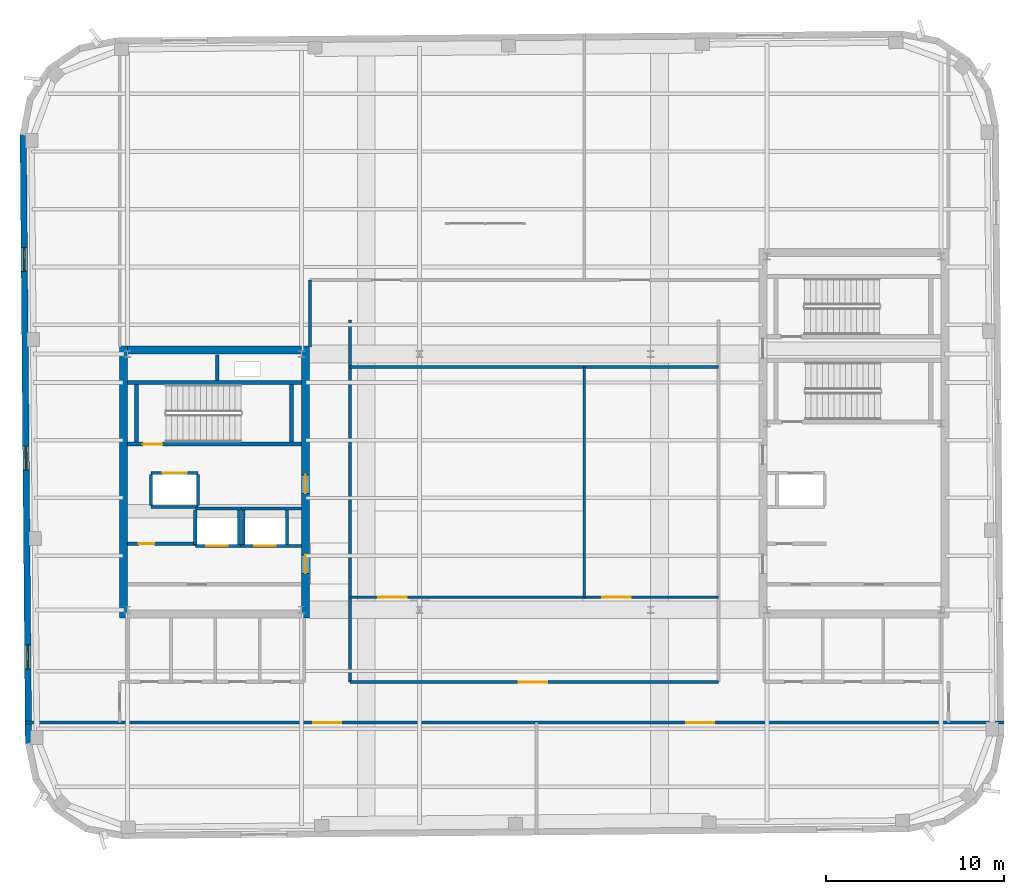
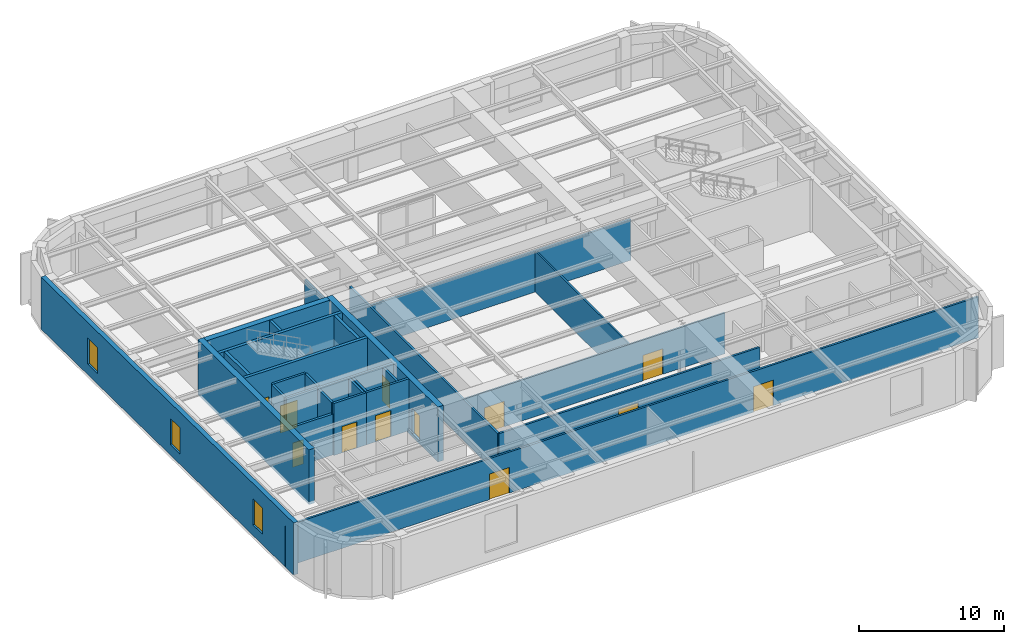
# One storey, part 8 of 14: 29 walls, 12 doors, 3 windows, 15 openings.
"""IFC4 building model written with IfcOpenShell, lengths in metres."""

from ifc_helpers import new_model, si_unit, direction, frame, frame_2d, origin, place, context, subcontext, project, spatial, rectangle, extrude, material, layer, layer_set, type_object, element, fill, save


model = new_model("IFC4")

# Units and contexts
model_context = context("Model", 3, precision=1e-05, world=origin(), true_north=direction((0.0, 1.0)))
body_context = subcontext(model_context, "Body", "Model", "MODEL_VIEW")
ifc_project = project(units=[si_unit("LENGTHUNIT", "METRE"), si_unit("AREAUNIT", "SQUARE_METRE"), si_unit("VOLUMEUNIT", "CUBIC_METRE"), si_unit("PLANEANGLEUNIT", "RADIAN"), si_unit("MASSUNIT", "GRAM", prefix="KILO")], contexts=[model_context])

# Site, building, storey
site_placement = place(None, origin())
site = spatial("IfcSite", under=ifc_project, at=site_placement, CompositionType="ELEMENT")
building_placement = place(site_placement, origin())
building = spatial("IfcBuilding", under=site, at=building_placement, Name="Kolvaren Arena Tower", CompositionType="ELEMENT")
storey_placement = place(building_placement, frame((0.0, 0.0, 317.199951171875)))
storey = spatial("IfcBuildingStorey", under=building, at=storey_placement, Name="L78", CompositionType="ELEMENT", Elevation=317.199951171875)

# Wall
ifc_material_1 = material(Name="Gypsum board acoustic assembly", Category="gypsum")
ifc_layer_1 = layer(ifc_material_1, 0.159912109375)
ifc_layer_set_1 = layer_set([ifc_layer_1], Name="Gypsum board acoustic assembly")
wall_type_1 = type_object("IfcWallType", Name="CORR-160", PredefinedType="PARTITIONING", material=ifc_layer_set_1)
wall_1_placement = place(storey_placement, frame((27.080078125, 33.1201171875, 0.0), z_axis=(0.0, 0.0, 1.0), x_axis=(1.0, 0.0, 0.0)))
element("IfcWall", 1, at=wall_1_placement, inside=storey, type_object=wall_type_1, Name="Interior Partition Wall (L78)", PredefinedType="PARTITIONING", context=body_context, shape_type="SweptSolid", body=[
    extrude(rectangle(XDim=20.739990234375, YDim=0.159912109375, at=frame_2d((10.3701171875, 0.0))), origin(), (0.0, 0.0, 1.0), 3.43994140625),
])

# Wall, opening, door
wall_2_placement = place(storey_placement, frame((27.080078125, 15.3798828125, 0.0), z_axis=(0.0, 0.0, 1.0), x_axis=(1.0, 0.0, 0.0)))
wall_2 = element("IfcWall", 2, at=wall_2_placement, inside=storey, type_object=wall_type_1, Name="Interior Partition Wall (L78)", PredefinedType="PARTITIONING", context=body_context, shape_type="SweptSolid", body=[
    extrude(rectangle(XDim=20.739990234375, YDim=0.159912109375, at=frame_2d((10.3701171875, 0.0))), origin(), (0.0, 0.0, 1.0), 3.43994140625),
])
opening_1_placement = place(wall_2_placement, frame((9.5, 0.0, 0.0)))
opening_1 = element("IfcOpeningElement", 3, at=opening_1_placement, cuts=wall_2, Name="Opening D06", PredefinedType="OPENING", context=body_context, shape_type="SweptSolid", body=[
    extrude(rectangle(XDim=1.60009765625, YDim=2.14990234375, at=frame_2d((0.800048828125, 1.074951171875))), frame((0.0, 0.08984375, 0.0), z_axis=(0.0, -1.0, 0.0), x_axis=(1.0, 0.0, 0.0)), (0.0, 0.0, 1.0), 0.179931640625),
])
ifc_material_2 = material(Name="Glazed acoustic boardroom double door", Category="aluminium")
door_type_1 = type_object("IfcDoorType", Name="DOOR-MT-160", OperationType="DOUBLE_DOOR_SINGLE_SWING", PredefinedType="DOOR", material=ifc_material_2)
door_1_placement = place(opening_1_placement, origin())
door_1 = element("IfcDoor", 4, at=door_1_placement, inside=storey, type_object=door_type_1, Name="South Viewing Lounge Door (L78)", OperationType="DOUBLE_DOOR_SINGLE_SWING", OverallHeight=2.14990234375, OverallWidth=1.60009765625, PredefinedType="DOOR", context=body_context, shape_type="SweptSolid", body=[
    extrude(rectangle(XDim=1.60009765625, YDim=2.14990234375, at=frame_2d((0.800048828125, 1.074951171875))), frame((0.0, 0.02490234375, 0.0), z_axis=(0.0, -1.0, 0.0), x_axis=(1.0, 0.0, 0.0)), (0.0, 0.0, 1.0), 0.050048828125),
])
fill(opening_1, door_1)

# Walls
wall_3_placement = place(storey_placement, frame((27.080078125, 15.3798828125, 0.0), z_axis=(0.0, 0.0, 1.0), x_axis=(0.0, 1.0, 0.0)))
element("IfcWall", 5, at=wall_3_placement, inside=storey, type_object=wall_type_1, Name="Interior Partition Wall (L78)", PredefinedType="PARTITIONING", context=body_context, shape_type="SweptSolid", body=[
    extrude(rectangle(XDim=20.400146484375, YDim=0.159912109375, at=frame_2d((10.2001953125, 0.0))), origin(), (0.0, 0.0, 1.0), 3.43994140625),
])
wall_4_placement = place(storey_placement, frame((24.820068359375, 34.25, 0.0), z_axis=(0.0, 0.0, 1.0), x_axis=(0.0, 1.0, 0.0)))
element("IfcWall", 6, at=wall_4_placement, inside=storey, type_object=wall_type_1, Name="Interior Partition Wall (L78)", PredefinedType="PARTITIONING", context=body_context, shape_type="SweptSolid", body=[
    extrude(rectangle(XDim=3.77001953125, YDim=0.159912109375, at=frame_2d((1.885009765625, 0.0))), origin(), (0.0, 0.0, 1.0), 3.43994140625),
])

# Wall, openings, doors
wall_5_placement = place(storey_placement, frame((8.790283203125, 13.10009765625, 0.0), z_axis=(0.0, 0.0, 1.0), x_axis=(1.0, 0.0, 0.0)))
wall_5 = element("IfcWall", 7, at=wall_5_placement, inside=storey, type_object=wall_type_1, Name="Interior Partition Wall (L78)", PredefinedType="PARTITIONING", context=body_context, shape_type="SweptSolid", body=[
    extrude(rectangle(XDim=55.10205078125, YDim=0.159912109375, at=frame_2d((27.551025390625, 0.0))), origin(), (0.0, 0.0, 1.0), 3.43994140625),
])
opening_2_placement = place(wall_5_placement, frame((16.209716796875, 0.0, 0.0)))
opening_2 = element("IfcOpeningElement", 8, at=opening_2_placement, cuts=wall_5, Name="Opening D06", PredefinedType="OPENING", context=body_context, shape_type="SweptSolid", body=[
    extrude(rectangle(XDim=1.60009765625, YDim=2.14990234375, at=frame_2d((0.800048828125, 1.074951171875))), frame((0.0, 0.08984375, 0.0), z_axis=(0.0, -1.0, 0.0), x_axis=(1.0, 0.0, 0.0)), (0.0, 0.0, 1.0), 0.179931640625),
])
opening_3_placement = place(wall_5_placement, frame((37.209716796875, 0.0, 0.0)))
opening_3 = element("IfcOpeningElement", 9, at=opening_3_placement, cuts=wall_5, Name="Opening D06", PredefinedType="OPENING", context=body_context, shape_type="SweptSolid", body=[
    extrude(rectangle(XDim=1.60009765625, YDim=2.14990234375, at=frame_2d((0.800048828125, 1.074951171875))), frame((0.0, 0.08984375, 0.0), z_axis=(0.0, -1.0, 0.0), x_axis=(1.0, 0.0, 0.0)), (0.0, 0.0, 1.0), 0.179931640625),
])
door_2_placement = place(opening_2_placement, origin())
door_2 = element("IfcDoor", 10, at=door_2_placement, inside=storey, type_object=door_type_1, Name="South Salon Door (L78)", OperationType="DOUBLE_DOOR_SINGLE_SWING", OverallHeight=2.14990234375, OverallWidth=1.60009765625, PredefinedType="DOOR", context=body_context, shape_type="SweptSolid", body=[
    extrude(rectangle(XDim=1.60009765625, YDim=2.14990234375, at=frame_2d((0.800048828125, 1.074951171875))), frame((0.0, 0.02490234375, 0.0), z_axis=(0.0, -1.0, 0.0), x_axis=(1.0, 0.0, 0.0)), (0.0, 0.0, 1.0), 0.050048828125),
])
fill(opening_2, door_2)
door_3_placement = place(opening_3_placement, origin())
door_3 = element("IfcDoor", 11, at=door_3_placement, inside=storey, type_object=door_type_1, Name="Horizon Salon Door (L78)", OperationType="DOUBLE_DOOR_SINGLE_SWING", OverallHeight=2.14990234375, OverallWidth=1.60009765625, PredefinedType="DOOR", context=body_context, shape_type="SweptSolid", body=[
    extrude(rectangle(XDim=1.60009765625, YDim=2.14990234375, at=frame_2d((0.800048828125, 1.074951171875))), frame((0.0, 0.02490234375, 0.0), z_axis=(0.0, -1.0, 0.0), x_axis=(1.0, 0.0, 0.0)), (0.0, 0.0, 1.0), 0.050048828125),
])
fill(opening_3, door_3)

# Wall
ifc_material_3 = material(Name="Concrete 55 MPa", Category="concrete")
ifc_layer_2 = layer(ifc_material_3, 0.449951171875)
ifc_layer_set_2 = layer_set([ifc_layer_2], Name="Concrete 55 MPa")
wall_type_2 = type_object("IfcWallType", Name="CWALL-450", PredefinedType="SHEAR", material=ifc_layer_set_2)
wall_6_placement = place(storey_placement, frame((14.324951171875, 19.0, -0.239990234375), z_axis=(0.0, 0.0, 1.0), x_axis=(0.0, 1.0, 0.0)))
element("IfcWall", 12, at=wall_6_placement, inside=storey, type_object=wall_type_2, Name="Core Shear Wall WC-WEST (L78)", PredefinedType="SHEAR", context=body_context, shape_type="SweptSolid", body=[
    extrude(rectangle(XDim=15.300048828125, YDim=0.449951171875, at=frame_2d((7.64990234375, 0.0))), origin(), (0.0, 0.0, 1.0), 4.6201171875),
])

# Wall, openings, doors
wall_7_placement = place(storey_placement, frame((24.574951171875, 19.0, -0.239990234375), z_axis=(0.0, 0.0, 1.0), x_axis=(0.0, 1.0, 0.0)))
wall_7 = element("IfcWall", 13, at=wall_7_placement, inside=storey, type_object=wall_type_2, Name="Core Shear Wall WC-EAST (L78)", PredefinedType="SHEAR", context=body_context, shape_type="SweptSolid", body=[
    extrude(rectangle(XDim=15.300048828125, YDim=0.449951171875, at=frame_2d((7.64990234375, 0.0))), origin(), (0.0, 0.0, 1.0), 4.6201171875),
])
opening_4_placement = place(wall_7_placement, frame((2.5, 0.0, 0.239990234375)))
opening_4 = element("IfcOpeningElement", 14, at=opening_4_placement, cuts=wall_7, Name="Opening D04", PredefinedType="OPENING", context=body_context, shape_type="SweptSolid", body=[
    extrude(rectangle(XDim=1.050048828125, YDim=2.14990234375, at=frame_2d((0.52490234375, 1.074951171875))), frame((0.0, 0.23486328125, 0.0), z_axis=(0.0, -1.0, 0.0), x_axis=(1.0, 0.0, 0.0)), (0.0, 0.0, 1.0), 0.469970703125),
])
opening_5_placement = place(wall_7_placement, frame((7.0, 0.0, 0.239990234375)))
opening_5 = element("IfcOpeningElement", 15, at=opening_5_placement, cuts=wall_7, Name="Opening D04", PredefinedType="OPENING", context=body_context, shape_type="SweptSolid", body=[
    extrude(rectangle(XDim=1.050048828125, YDim=2.14990234375, at=frame_2d((0.52490234375, 1.074951171875))), frame((0.0, 0.23486328125, 0.0), z_axis=(0.0, -1.0, 0.0), x_axis=(1.0, 0.0, 0.0)), (0.0, 0.0, 1.0), 0.469970703125),
])
ifc_material_4 = material(Name="Fire-rated steel lobby door", Category="steel")
door_type_2 = type_object("IfcDoorType", Name="DOOR-FF-105", OperationType="NOTDEFINED", PredefinedType="DOOR", material=ifc_material_4)
door_4_placement = place(opening_4_placement, origin())
door_4 = element("IfcDoor", 16, at=door_4_placement, inside=storey, type_object=door_type_2, Name="West Lift Lobby Fire Door (L78)", OperationType="SINGLE_SWING_LEFT", OverallHeight=2.14990234375, OverallWidth=1.050048828125, PredefinedType="DOOR", context=body_context, shape_type="SweptSolid", body=[
    extrude(rectangle(XDim=1.050048828125, YDim=2.14990234375, at=frame_2d((0.52490234375, 1.074951171875))), frame((0.0, 0.02490234375, 0.0), z_axis=(0.0, -1.0, 0.0), x_axis=(1.0, 0.0, 0.0)), (0.0, 0.0, 1.0), 0.050048828125),
])
fill(opening_4, door_4)
door_5_placement = place(opening_5_placement, origin())
door_5 = element("IfcDoor", 17, at=door_5_placement, inside=storey, type_object=door_type_2, Name="West Firefighter Vestibule Door (L78)", OperationType="SINGLE_SWING_RIGHT", OverallHeight=2.14990234375, OverallWidth=1.050048828125, PredefinedType="DOOR", context=body_context, shape_type="SweptSolid", body=[
    extrude(rectangle(XDim=1.050048828125, YDim=2.14990234375, at=frame_2d((0.52490234375, 1.074951171875))), frame((0.0, 0.02490234375, 0.0), z_axis=(0.0, -1.0, 0.0), x_axis=(1.0, 0.0, 0.0)), (0.0, 0.0, 1.0), 0.050048828125),
])
fill(opening_5, door_5)

# Wall
wall_8_placement = place(storey_placement, frame((14.550048828125, 34.074951171875, -0.239990234375), z_axis=(0.0, 0.0, 1.0), x_axis=(1.0, 0.0, 0.0)))
element("IfcWall", 18, at=wall_8_placement, inside=storey, type_object=wall_type_2, Name="Core Shear Wall WC-NORTH (L78)", PredefinedType="SHEAR", context=body_context, shape_type="SweptSolid", body=[
    extrude(rectangle(XDim=9.800048828125, YDim=0.449951171875, at=frame_2d((4.89990234375, 0.0))), origin(), (0.0, 0.0, 1.0), 4.6201171875),
])

# Wall, openings, windows
ifc_material_5 = material(Name="Precast concrete C50/60", Category="concrete")
ifc_layer_3 = layer(ifc_material_5, 0.360107421875)
ifc_layer_set_3 = layer_set([ifc_layer_3], Name="Precast concrete C50/60")
wall_type_3 = type_object("IfcWallType", Name="EXT-PIER2", PredefinedType="SOLIDWALL", material=ifc_layer_set_3)
wall_9_placement = place(storey_placement, frame((8.980712890625, 11.911865234375, 0.0), z_axis=(0.0, 0.0, 1.0), x_axis=(-0.008726453825, 0.999961923777, 0.0)))
wall_9 = element("IfcWall", 19, at=wall_9_placement, inside=storey, type_object=wall_type_3, Name="Exterior Precast Masonry-Frame Wall (L78)", PredefinedType="SOLIDWALL", context=body_context, shape_type="SweptSolid", body=[
    extrude(rectangle(XDim=34.2998046875, YDim=0.360107421875, at=frame_2d((17.14990234375, 0.0))), origin(), (0.0, 0.0, 1.0), 4.380126953125),
])
opening_6_placement = place(wall_9_placement, frame((4.199951171875, 0.0, 0.8798828125)))
opening_6 = element("IfcOpeningElement", 20, at=opening_6_placement, cuts=wall_9, Name="Opening W04", PredefinedType="OPENING", context=body_context, shape_type="SweptSolid", body=[
    extrude(rectangle(XDim=1.35009765625, YDim=2.199951171875, at=frame_2d((0.675048828125, 1.10009765625))), frame((0.0, 0.18994140625, 0.0), z_axis=(0.0, -1.0, 0.0), x_axis=(1.0, 0.0, 0.0)), (0.0, 0.0, 1.0), 0.380126953125),
])
opening_7_placement = place(wall_9_placement, frame((15.39990234375, 0.0, 0.8798828125)))
opening_7 = element("IfcOpeningElement", 21, at=opening_7_placement, cuts=wall_9, Name="Opening W04", PredefinedType="OPENING", context=body_context, shape_type="SweptSolid", body=[
    extrude(rectangle(XDim=1.35009765625, YDim=2.199951171875, at=frame_2d((0.675048828125, 1.10009765625))), frame((0.0, 0.18994140625, 0.0), z_axis=(0.0, -1.0, 0.0), x_axis=(1.0, 0.0, 0.0)), (0.0, 0.0, 1.0), 0.380126953125),
])
opening_8_placement = place(wall_9_placement, frame((26.60009765625, 0.0, 0.8798828125)))
opening_8 = element("IfcOpeningElement", 22, at=opening_8_placement, cuts=wall_9, Name="Opening W04", PredefinedType="OPENING", context=body_context, shape_type="SweptSolid", body=[
    extrude(rectangle(XDim=1.35009765625, YDim=2.199951171875, at=frame_2d((0.675048828125, 1.10009765625))), frame((0.0, 0.18994140625, 0.0), z_axis=(0.0, -1.0, 0.0), x_axis=(1.0, 0.0, 0.0)), (0.0, 0.0, 1.0), 0.380126953125),
])
ifc_material_6 = material(Name="Triple-glazed curved-facet corner window", Category="glass")
window_type = type_object("IfcWindowType", Name="WIN-CRN-A", PartitioningType="SINGLE_PANEL", PredefinedType="WINDOW", material=ifc_material_6)
window_1_placement = place(opening_6_placement, origin())
window_1 = element("IfcWindow", 23, at=window_1_placement, inside=storey, type_object=window_type, Name="End-Wall Punched Window (L78)", OverallHeight=2.199951171875, OverallWidth=1.35009765625, PartitioningType="SINGLE_PANEL", PredefinedType="WINDOW", context=body_context, shape_type="SweptSolid", body=[
    extrude(rectangle(XDim=1.35009765625, YDim=2.199951171875, at=frame_2d((0.675048828125, 1.10009765625))), frame((0.0, 0.030029296875, 0.0), z_axis=(0.0, -1.0, 0.0), x_axis=(1.0, 0.0, 0.0)), (0.0, 0.0, 1.0), 0.06005859375),
])
fill(opening_6, window_1)
window_2_placement = place(opening_7_placement, origin())
window_2 = element("IfcWindow", 24, at=window_2_placement, inside=storey, type_object=window_type, Name="End-Wall Punched Window (L78)", OverallHeight=2.199951171875, OverallWidth=1.35009765625, PartitioningType="SINGLE_PANEL", PredefinedType="WINDOW", context=body_context, shape_type="SweptSolid", body=[
    extrude(rectangle(XDim=1.35009765625, YDim=2.199951171875, at=frame_2d((0.675048828125, 1.10009765625))), frame((0.0, 0.030029296875, 0.0), z_axis=(0.0, -1.0, 0.0), x_axis=(1.0, 0.0, 0.0)), (0.0, 0.0, 1.0), 0.06005859375),
])
fill(opening_7, window_2)
window_3_placement = place(opening_8_placement, origin())
window_3 = element("IfcWindow", 25, at=window_3_placement, inside=storey, type_object=window_type, Name="End-Wall Punched Window (L78)", OverallHeight=2.199951171875, OverallWidth=1.35009765625, PartitioningType="SINGLE_PANEL", PredefinedType="WINDOW", context=body_context, shape_type="SweptSolid", body=[
    extrude(rectangle(XDim=1.35009765625, YDim=2.199951171875, at=frame_2d((0.675048828125, 1.10009765625))), frame((0.0, 0.030029296875, 0.0), z_axis=(0.0, -1.0, 0.0), x_axis=(1.0, 0.0, 0.0)), (0.0, 0.0, 1.0), 0.06005859375),
])
fill(opening_8, window_3)

# Wall, opening, door
ifc_material_7 = material(Name="Concrete 40 MPa", Category="concrete")
ifc_layer_4 = layer(ifc_material_7, 0.199951171875)
ifc_layer_set_4 = layer_set([ifc_layer_4], Name="Concrete 40 MPa")
wall_type_4 = type_object("IfcWallType", Name="LOBBY-200", PredefinedType="SOLIDWALL", material=ifc_layer_set_4)
wall_10_placement = place(storey_placement, frame((14.550048828125, 23.159912109375, 0.0), z_axis=(0.0, 0.0, 1.0), x_axis=(1.0, 0.0, 0.0)))
wall_10 = element("IfcWall", 26, at=wall_10_placement, inside=storey, type_object=wall_type_4, Name="Core Shaft Wall (L78)", PredefinedType="SOLIDWALL", context=body_context, shape_type="SweptSolid", body=[
    extrude(rectangle(XDim=3.820068359375, YDim=0.199951171875, at=frame_2d((1.91015625, 0.0))), origin(), (0.0, 0.0, 1.0), 3.43994140625),
])
opening_9_placement = place(wall_10_placement, frame((0.64990234375, 0.0, 0.0)))
opening_9 = element("IfcOpeningElement", 27, at=opening_9_placement, cuts=wall_10, Name="Opening D09", PredefinedType="OPENING", context=body_context, shape_type="SweptSolid", body=[
    extrude(rectangle(XDim=0.860107421875, YDim=2.050048828125, at=frame_2d((0.43017578125, 1.02490234375))), frame((0.0, 0.10986328125, 0.0), z_axis=(0.0, -1.0, 0.0), x_axis=(1.0, 0.0, 0.0)), (0.0, 0.0, 1.0), 0.219970703125),
])
ifc_material_8 = material(Name="Fire-rated steel riser access door", Category="steel")
door_type_3 = type_object("IfcDoorType", Name="DOOR-RS-086", OperationType="NOTDEFINED", PredefinedType="DOOR", material=ifc_material_8)
door_6_placement = place(opening_9_placement, origin())
door_6 = element("IfcDoor", 28, at=door_6_placement, inside=storey, type_object=door_type_3, Name="West Document Archive Riser Door (L78)", OperationType="SINGLE_SWING_RIGHT", OverallHeight=2.050048828125, OverallWidth=0.860107421875, PredefinedType="DOOR", context=body_context, shape_type="SweptSolid", body=[
    extrude(rectangle(XDim=0.860107421875, YDim=2.050048828125, at=frame_2d((0.43017578125, 1.02490234375))), frame((0.0, 0.02490234375, 0.0), z_axis=(0.0, -1.0, 0.0), x_axis=(1.0, 0.0, 0.0)), (0.0, 0.0, 1.0), 0.050048828125),
])
fill(opening_9, door_6)

# Wall, openings, doors
ifc_material_9 = material(Name="Gypsum board partition assembly", Category="gypsum")
ifc_layer_5 = layer(ifc_material_9, 0.135009765625)
ifc_layer_set_5 = layer_set([ifc_layer_5], Name="Gypsum board partition assembly")
wall_type_5 = type_object("IfcWallType", Name="PART-135", PredefinedType="PARTITIONING", material=ifc_layer_set_5)
wall_11_placement = place(storey_placement, frame((27.080078125, 20.14990234375, 0.0), z_axis=(0.0, 0.0, 1.0), x_axis=(1.0, 0.0, 0.0)))
wall_11 = element("IfcWall", 29, at=wall_11_placement, inside=storey, type_object=wall_type_5, Name="Interior Partition Wall (L78)", PredefinedType="PARTITIONING", context=body_context, shape_type="SweptSolid", body=[
    extrude(rectangle(XDim=20.739990234375, YDim=0.135009765625, at=frame_2d((10.3701171875, 0.0))), origin(), (0.0, 0.0, 1.0), 3.43994140625),
])
opening_10_placement = place(wall_11_placement, frame((1.60009765625, 0.0, 0.0)))
opening_10 = element("IfcOpeningElement", 30, at=opening_10_placement, cuts=wall_11, Name="Opening D06", PredefinedType="OPENING", context=body_context, shape_type="SweptSolid", body=[
    extrude(rectangle(XDim=1.60009765625, YDim=2.14990234375, at=frame_2d((0.800048828125, 1.074951171875))), frame((0.0, 0.077392578125, 0.0), z_axis=(0.0, -1.0, 0.0), x_axis=(1.0, 0.0, 0.0)), (0.0, 0.0, 1.0), 0.155029296875),
])
opening_11_placement = place(wall_11_placement, frame((14.199951171875, 0.0, 0.0)))
opening_11 = element("IfcOpeningElement", 31, at=opening_11_placement, cuts=wall_11, Name="Opening D06", PredefinedType="OPENING", context=body_context, shape_type="SweptSolid", body=[
    extrude(rectangle(XDim=1.60009765625, YDim=2.14990234375, at=frame_2d((0.800048828125, 1.074951171875))), frame((0.0, 0.077392578125, 0.0), z_axis=(0.0, -1.0, 0.0), x_axis=(1.0, 0.0, 0.0)), (0.0, 0.0, 1.0), 0.155029296875),
])
door_7_placement = place(opening_10_placement, origin())
door_7 = element("IfcDoor", 32, at=door_7_placement, inside=storey, type_object=door_type_1, Name="Central Hall West Door (L78)", OperationType="DOUBLE_DOOR_SINGLE_SWING", OverallHeight=2.14990234375, OverallWidth=1.60009765625, PredefinedType="DOOR", context=body_context, shape_type="SweptSolid", body=[
    extrude(rectangle(XDim=1.60009765625, YDim=2.14990234375, at=frame_2d((0.800048828125, 1.074951171875))), frame((0.0, 0.02490234375, 0.0), z_axis=(0.0, -1.0, 0.0), x_axis=(1.0, 0.0, 0.0)), (0.0, 0.0, 1.0), 0.050048828125),
])
fill(opening_10, door_7)
door_8_placement = place(opening_11_placement, origin())
door_8 = element("IfcDoor", 33, at=door_8_placement, inside=storey, type_object=door_type_1, Name="Central Hall East Door (L78)", OperationType="DOUBLE_DOOR_SINGLE_SWING", OverallHeight=2.14990234375, OverallWidth=1.60009765625, PredefinedType="DOOR", context=body_context, shape_type="SweptSolid", body=[
    extrude(rectangle(XDim=1.60009765625, YDim=2.14990234375, at=frame_2d((0.800048828125, 1.074951171875))), frame((0.0, 0.02490234375, 0.0), z_axis=(0.0, -1.0, 0.0), x_axis=(1.0, 0.0, 0.0)), (0.0, 0.0, 1.0), 0.050048828125),
])
fill(opening_11, door_8)

# Wall
wall_12_placement = place(storey_placement, frame((40.27001953125, 20.14990234375, 0.0), z_axis=(0.0, 0.0, 1.0), x_axis=(0.0, 1.0, 0.0)))
element("IfcWall", 34, at=wall_12_placement, inside=storey, type_object=wall_type_5, Name="Interior Partition Wall (L78)", PredefinedType="PARTITIONING", context=body_context, shape_type="SweptSolid", body=[
    extrude(rectangle(XDim=12.97021484375, YDim=0.135009765625, at=frame_2d((6.485107421875, 0.0))), origin(), (0.0, 0.0, 1.0), 3.43994140625),
])

# Wall, opening, door
ifc_material_10 = material(Name="Concrete 45 MPa", Category="concrete")
ifc_layer_6 = layer(ifc_material_10, 0.25)
ifc_layer_set_6 = layer_set([ifc_layer_6], Name="Concrete 45 MPa")
wall_type_6 = type_object("IfcWallType", Name="SHAFT-250", PredefinedType="SOLIDWALL", material=ifc_layer_set_6)
wall_13_placement = place(storey_placement, frame((24.35009765625, 28.780029296875, 0.0), z_axis=(0.0, 0.0, 1.0), x_axis=(-1.0, 0.0, 0.0)))
wall_13 = element("IfcWall", 35, at=wall_13_placement, inside=storey, type_object=wall_type_6, Name="Core Shaft Wall (L78)", PredefinedType="SOLIDWALL", context=body_context, shape_type="SweptSolid", body=[
    extrude(rectangle(XDim=9.800048828125, YDim=0.239990234375, at=frame_2d((4.89990234375, 0.0))), origin(), (0.0, 0.0, 1.0), 4.380126953125),
])
opening_12_placement = place(wall_13_placement, frame((7.830078125, 0.0, 0.0)))
opening_12 = element("IfcOpeningElement", 36, at=opening_12_placement, cuts=wall_13, Name="Opening D03", PredefinedType="OPENING", context=body_context, shape_type="SweptSolid", body=[
    extrude(rectangle(XDim=1.10009765625, YDim=2.14990234375, at=frame_2d((0.550048828125, 1.074951171875))), frame((0.0, 0.1298828125, 0.0), z_axis=(0.0, -1.0, 0.0), x_axis=(1.0, 0.0, 0.0)), (0.0, 0.0, 1.0), 0.260009765625),
])
ifc_material_11 = material(Name="Fire-rated steel exit stair door", Category="steel")
door_type_4 = type_object("IfcDoorType", Name="DOOR-ST-110", OperationType="NOTDEFINED", PredefinedType="DOOR", material=ifc_material_11)
door_9_placement = place(opening_12_placement, origin())
door_9 = element("IfcDoor", 37, at=door_9_placement, inside=storey, type_object=door_type_4, Name="Stair ST-W1 Fire Door (L78)", OperationType="SINGLE_SWING_RIGHT", OverallHeight=2.14990234375, OverallWidth=1.10009765625, PredefinedType="DOOR", context=body_context, shape_type="SweptSolid", body=[
    extrude(rectangle(XDim=1.10009765625, YDim=2.14990234375, at=frame_2d((0.550048828125, 1.074951171875))), frame((0.0, 0.02490234375, 0.0), z_axis=(0.0, -1.0, 0.0), x_axis=(1.0, 0.0, 0.0)), (0.0, 0.0, 1.0), 0.050048828125),
])
fill(opening_12, door_9)

# Walls
wall_14_placement = place(storey_placement, frame((14.550048828125, 32.25, 0.0), z_axis=(0.0, 0.0, 1.0), x_axis=(1.0, 0.0, 0.0)))
element("IfcWall", 38, at=wall_14_placement, inside=storey, type_object=wall_type_6, Name="Core Shaft Wall (L78)", PredefinedType="SOLIDWALL", context=body_context, shape_type="SweptSolid", body=[
    extrude(rectangle(XDim=9.800048828125, YDim=0.239990234375, at=frame_2d((4.89990234375, 0.0))), origin(), (0.0, 0.0, 1.0), 4.380126953125),
])
for number, where, z_axis, x_axis, name in (
    (39, (15.06005859375, 28.89990234375, 0.0), (0.0, 0.0, 1.0), (0.0, 1.0, 0.0), "Core Shaft Wall (L78)"),
    (40, (23.780029296875, 28.89990234375, 0.0), (0.0, 0.0, 1.0), (0.0, 1.0, 0.0), "Core Shaft Wall (L78)"),
):
    element("IfcWall", number, at=place(storey_placement, frame(where, z_axis=z_axis, x_axis=x_axis)), inside=storey, type_object=wall_type_6, Name=name, PredefinedType="SOLIDWALL", context=body_context, shape_type="SweptSolid", body=[
        extrude(rectangle(XDim=3.22998046875, YDim=0.239990234375, at=frame_2d((1.614990234375, 0.0))), origin(), (0.0, 0.0, 1.0), 4.380126953125),
    ])
wall_15_placement = place(storey_placement, frame((19.60009765625, 32.3701171875, 0.0), z_axis=(0.0, 0.0, 1.0), x_axis=(0.0, 1.0, 0.0)))
element("IfcWall", 41, at=wall_15_placement, inside=storey, type_object=wall_type_6, Name="Core Shaft Wall (L78)", PredefinedType="SOLIDWALL", context=body_context, shape_type="SweptSolid", body=[
    extrude(rectangle(XDim=1.429931640625, YDim=0.199951171875, at=frame_2d((0.71484375, 0.0))), origin(), (0.0, 0.0, 1.0), 4.380126953125),
])
wall_16_placement = place(storey_placement, frame((18.3701171875, 25.155029296875, 0.0), z_axis=(0.0, 0.0, 1.0), x_axis=(1.0, 0.0, 0.0)))
element("IfcWall", 42, at=wall_16_placement, inside=storey, type_object=wall_type_6, Name="Core Shaft Wall (L78)", PredefinedType="SOLIDWALL", context=body_context, shape_type="SweptSolid", body=[
    extrude(rectangle(XDim=2.579833984375, YDim=0.179931640625, at=frame_2d((1.2900390625, 0.0))), origin(), (0.0, 0.0, 1.0), 4.380126953125),
])

# Wall, opening, door
wall_17_placement = place(storey_placement, frame((18.3701171875, 23.044921875, 0.0), z_axis=(0.0, 0.0, 1.0), x_axis=(1.0, 0.0, 0.0)))
wall_17 = element("IfcWall", 43, at=wall_17_placement, inside=storey, type_object=wall_type_6, Name="Core Shaft Wall (L78)", PredefinedType="SOLIDWALL", context=body_context, shape_type="SweptSolid", body=[
    extrude(rectangle(XDim=2.579833984375, YDim=0.179931640625, at=frame_2d((1.2900390625, 0.0))), origin(), (0.0, 0.0, 1.0), 4.380126953125),
])
opening_13_placement = place(wall_17_placement, frame((0.6298828125, 0.0, 0.0)))
opening_13 = element("IfcOpeningElement", 44, at=opening_13_placement, cuts=wall_17, Name="Opening LD1", PredefinedType="OPENING", context=body_context, shape_type="SweptSolid", body=[
    extrude(rectangle(XDim=1.199951171875, YDim=2.199951171875, at=frame_2d((0.60009765625, 1.10009765625))), frame((0.0, 0.099853515625, 0.0), z_axis=(0.0, -1.0, 0.0), x_axis=(1.0, 0.0, 0.0)), (0.0, 0.0, 1.0), 0.199951171875),
])
ifc_material_12 = material(Name="Stainless steel passenger lift landing door", Category="steel")
door_type_5 = type_object("IfcDoorType", Name="DOOR-LD-120", OperationType="DOUBLE_DOOR_SLIDING", PredefinedType="DOOR", material=ifc_material_12)
door_10_placement = place(opening_13_placement, origin())
door_10 = element("IfcDoor", 45, at=door_10_placement, inside=storey, type_object=door_type_5, Name="Lift EL-OB1 Landing Door (L78)", OperationType="DOUBLE_DOOR_SLIDING", OverallHeight=2.199951171875, OverallWidth=1.199951171875, PredefinedType="DOOR", context=body_context, shape_type="SweptSolid", body=[
    extrude(rectangle(XDim=1.199951171875, YDim=2.199951171875, at=frame_2d((0.60009765625, 1.10009765625))), frame((0.0, 0.02490234375, 0.0), z_axis=(0.0, -1.0, 0.0), x_axis=(1.0, 0.0, 0.0)), (0.0, 0.0, 1.0), 0.050048828125),
])
fill(opening_13, door_10)

# Walls
for number, where, z_axis, x_axis, name in (
    (46, (18.3701171875, 23.135009765625, 0.0), (0.0, 0.0, 1.0), (0.0, 1.0, 0.0), "Core Shaft Wall (L78)"),
    (47, (20.830078125, 23.135009765625, 0.0), (0.0, 0.0, 1.0), (0.0, 1.0, 0.0), "Core Shaft Wall (L78)"),
):
    element("IfcWall", number, at=place(storey_placement, frame(where, z_axis=z_axis, x_axis=x_axis)), inside=storey, type_object=wall_type_6, Name=name, PredefinedType="SOLIDWALL", context=body_context, shape_type="SweptSolid", body=[
        extrude(rectangle(XDim=1.929931640625, YDim=0.179931640625, at=frame_2d((0.96484375, 0.0))), origin(), (0.0, 0.0, 1.0), 4.380126953125),
    ])
wall_18_placement = place(storey_placement, frame((20.949951171875, 25.155029296875, 0.0), z_axis=(0.0, 0.0, 1.0), x_axis=(1.0, 0.0, 0.0)))
element("IfcWall", 48, at=wall_18_placement, inside=storey, type_object=wall_type_6, Name="Core Shaft Wall (L78)", PredefinedType="SOLIDWALL", context=body_context, shape_type="SweptSolid", body=[
    extrude(rectangle(XDim=3.400146484375, YDim=0.179931640625, at=frame_2d((1.7001953125, 0.0))), origin(), (0.0, 0.0, 1.0), 4.380126953125),
])

# Wall, opening, door
wall_19_placement = place(storey_placement, frame((20.949951171875, 23.044921875, 0.0), z_axis=(0.0, 0.0, 1.0), x_axis=(1.0, 0.0, 0.0)))
wall_19 = element("IfcWall", 49, at=wall_19_placement, inside=storey, type_object=wall_type_6, Name="Core Shaft Wall (L78)", PredefinedType="SOLIDWALL", context=body_context, shape_type="SweptSolid", body=[
    extrude(rectangle(XDim=3.400146484375, YDim=0.179931640625, at=frame_2d((1.7001953125, 0.0))), origin(), (0.0, 0.0, 1.0), 4.380126953125),
])
opening_14_placement = place(wall_19_placement, frame((0.75, 0.0, 0.0)))
opening_14 = element("IfcOpeningElement", 50, at=opening_14_placement, cuts=wall_19, Name="Opening LD1", PredefinedType="OPENING", context=body_context, shape_type="SweptSolid", body=[
    extrude(rectangle(XDim=1.199951171875, YDim=2.199951171875, at=frame_2d((0.60009765625, 1.10009765625))), frame((0.0, 0.099853515625, 0.0), z_axis=(0.0, -1.0, 0.0), x_axis=(1.0, 0.0, 0.0)), (0.0, 0.0, 1.0), 0.199951171875),
])
door_11_placement = place(opening_14_placement, origin())
door_11 = element("IfcDoor", 51, at=door_11_placement, inside=storey, type_object=door_type_5, Name="Lift EL-OB2 Landing Door (L78)", OperationType="DOUBLE_DOOR_SLIDING", OverallHeight=2.199951171875, OverallWidth=1.199951171875, PredefinedType="DOOR", context=body_context, shape_type="SweptSolid", body=[
    extrude(rectangle(XDim=1.199951171875, YDim=2.199951171875, at=frame_2d((0.60009765625, 1.10009765625))), frame((0.0, 0.02490234375, 0.0), z_axis=(0.0, -1.0, 0.0), x_axis=(1.0, 0.0, 0.0)), (0.0, 0.0, 1.0), 0.050048828125),
])
fill(opening_14, door_11)

# Walls
for number, where, z_axis, x_axis, name in (
    (52, (21.070068359375, 23.135009765625, 0.0), (0.0, 0.0, 1.0), (0.0, 1.0, 0.0), "Core Shaft Wall (L78)"),
    (53, (23.530029296875, 23.135009765625, 0.0), (0.0, 0.0, 1.0), (0.0, 1.0, 0.0), "Core Shaft Wall (L78)"),
):
    element("IfcWall", number, at=place(storey_placement, frame(where, z_axis=z_axis, x_axis=x_axis)), inside=storey, type_object=wall_type_6, Name=name, PredefinedType="SOLIDWALL", context=body_context, shape_type="SweptSolid", body=[
        extrude(rectangle(XDim=1.929931640625, YDim=0.179931640625, at=frame_2d((0.96484375, 0.0))), origin(), (0.0, 0.0, 1.0), 4.380126953125),
    ])

# Wall, opening, door
wall_20_placement = place(storey_placement, frame((15.8701171875, 27.155029296875, 0.0), z_axis=(0.0, 0.0, 1.0), x_axis=(1.0, 0.0, 0.0)))
wall_20 = element("IfcWall", 54, at=wall_20_placement, inside=storey, type_object=wall_type_6, Name="Core Shaft Wall (L78)", PredefinedType="SOLIDWALL", context=body_context, shape_type="SweptSolid", body=[
    extrude(rectangle(XDim=2.659912109375, YDim=0.179931640625, at=frame_2d((1.330078125, 0.0))), origin(), (0.0, 0.0, 1.0), 4.380126953125),
])
opening_15_placement = place(wall_20_placement, frame((0.655029296875, 0.0, 0.0)))
opening_15 = element("IfcOpeningElement", 55, at=opening_15_placement, cuts=wall_20, Name="Opening LD2", PredefinedType="OPENING", context=body_context, shape_type="SweptSolid", body=[
    extrude(rectangle(XDim=1.35009765625, YDim=2.300048828125, at=frame_2d((0.675048828125, 1.14990234375))), frame((0.0, 0.099853515625, 0.0), z_axis=(0.0, -1.0, 0.0), x_axis=(1.0, 0.0, 0.0)), (0.0, 0.0, 1.0), 0.199951171875),
])
ifc_material_13 = material(Name="Stainless steel firefighter lift landing door", Category="steel")
door_type_6 = type_object("IfcDoorType", Name="DOOR-LD-135", OperationType="DOUBLE_DOOR_SLIDING", PredefinedType="DOOR", material=ifc_material_13)
door_12_placement = place(opening_15_placement, origin())
door_12 = element("IfcDoor", 56, at=door_12_placement, inside=storey, type_object=door_type_6, Name="Firefighter Lift FF-W1 Landing Door (L78)", OperationType="DOUBLE_DOOR_SLIDING", OverallHeight=2.300048828125, OverallWidth=1.35009765625, PredefinedType="DOOR", context=body_context, shape_type="SweptSolid", body=[
    extrude(rectangle(XDim=1.35009765625, YDim=2.300048828125, at=frame_2d((0.675048828125, 1.14990234375))), frame((0.0, 0.02490234375, 0.0), z_axis=(0.0, -1.0, 0.0), x_axis=(1.0, 0.0, 0.0)), (0.0, 0.0, 1.0), 0.050048828125),
])
fill(opening_15, door_12)

# Walls
wall_21_placement = place(storey_placement, frame((15.8701171875, 25.2451171875, 0.0), z_axis=(0.0, 0.0, 1.0), x_axis=(1.0, 0.0, 0.0)))
element("IfcWall", 57, at=wall_21_placement, inside=storey, type_object=wall_type_6, Name="Core Shaft Wall (L78)", PredefinedType="SOLIDWALL", context=body_context, shape_type="SweptSolid", body=[
    extrude(rectangle(XDim=2.659912109375, YDim=0.179931640625, at=frame_2d((1.330078125, 0.0))), origin(), (0.0, 0.0, 1.0), 4.380126953125),
])
for number, where, z_axis, x_axis, name in (
    (58, (15.8701171875, 25.3349609375, 0.0), (0.0, 0.0, 1.0), (0.0, 1.0, 0.0), "Core Shaft Wall (L78)"),
    (59, (18.530029296875, 25.3349609375, 0.0), (0.0, 0.0, 1.0), (0.0, 1.0, 0.0), "Core Shaft Wall (L78)"),
):
    element("IfcWall", number, at=place(storey_placement, frame(where, z_axis=z_axis, x_axis=x_axis)), inside=storey, type_object=wall_type_6, Name=name, PredefinedType="SOLIDWALL", context=body_context, shape_type="SweptSolid", body=[
        extrude(rectangle(XDim=1.72998046875, YDim=0.179931640625, at=frame_2d((0.864990234375, 0.0))), origin(), (0.0, 0.0, 1.0), 4.380126953125),
    ])

save(model, "model.ifc")
